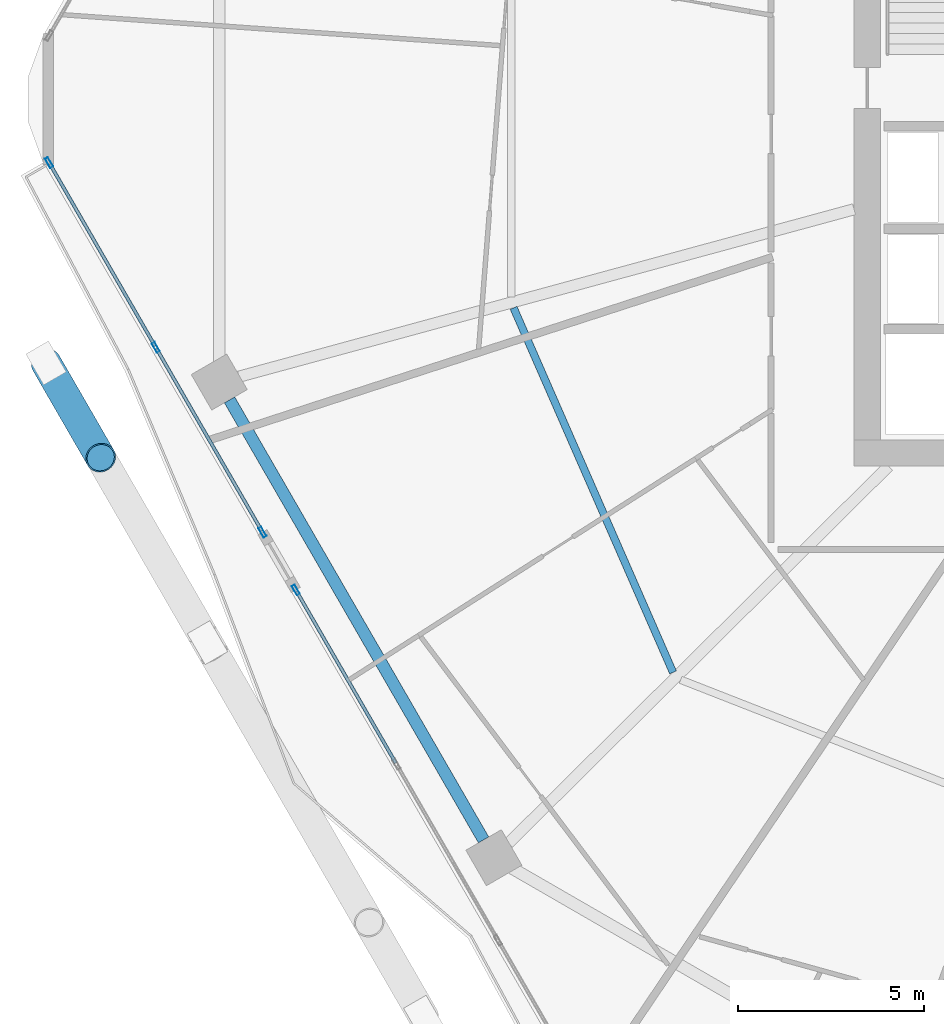
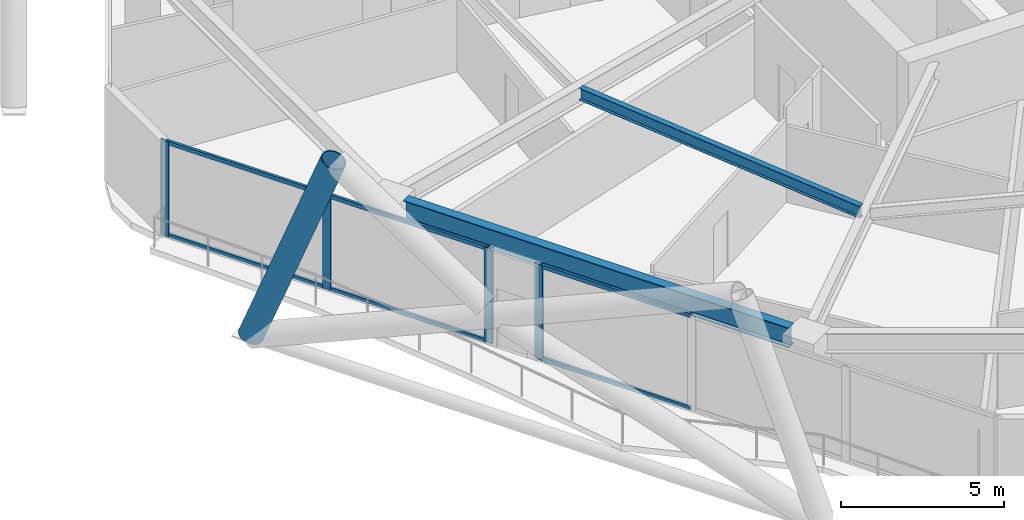
# One storey, part 5 of 35: 11 members, 2 beams, 2 elements without a shape of their own.
"""IFC4 building model written with IfcOpenShell, lengths in metres."""

from ifc_helpers import new_model, si_unit, direction, frame, origin, origin_2d, place, context, subcontext, project, spatial, hollow_rectangle, hollow_circle, i_section, extrude, material, material_profile, profile_set, type_object, element, aggregate, save


model = new_model("IFC4")

# Units and contexts
model_context = context("Model", 3, precision=1e-05, world=origin(), true_north=direction((0.0, 1.0)))
body_context = subcontext(model_context, "Body", "Model", "MODEL_VIEW")
ifc_project = project(units=[si_unit("LENGTHUNIT", "METRE"), si_unit("AREAUNIT", "SQUARE_METRE"), si_unit("VOLUMEUNIT", "CUBIC_METRE"), si_unit("PLANEANGLEUNIT", "RADIAN"), si_unit("MASSUNIT", "GRAM", prefix="KILO")], contexts=[model_context])

# Site, building, storey
site_placement = place(None, origin())
site = spatial("IfcSite", under=ifc_project, at=site_placement, CompositionType="ELEMENT")
building_placement = place(site_placement, origin())
building = spatial("IfcBuilding", under=site, at=building_placement, Name="Zuhravey Tower", CompositionType="ELEMENT")
storey_placement = place(building_placement, frame((0.0, 0.0, 122.800048828125)))
storey = spatial("IfcBuildingStorey", under=building, at=storey_placement, Name="L30", CompositionType="ELEMENT", Elevation=122.800048828125)

# Curtain wall, member
ifc_material_1 = material(Name="Thermally broken anodised aluminium", Category="aluminium")
curtain_wall_type = type_object("IfcCurtainWallType", Name="Zone 1-2 Residential Curtain Wall CW3", PredefinedType="NOTDEFINED", material=ifc_material_1)
curtain_wall_1_placement = place(storey_placement, origin())
curtain_wall_1 = element("IfcCurtainWall", 1, at=curtain_wall_1_placement, inside=storey, type_object=curtain_wall_type, Name="L30 CW3 CW-L30-F4-1", PredefinedType="NOTDEFINED")
ifc_material_2 = material(Name="Anodised aluminium", Category="aluminium")
ifc_material_profile_1 = material_profile(ifc_material_2, hollow_rectangle(XDim=0.090087890625, YDim=0.284912109375, WallThickness=0.0048828125, at=origin_2d()), Name="ALU-RHS-90x285x5")
ifc_profile_set_1 = profile_set([ifc_material_profile_1], Name="Anodised aluminium")
member_type_1 = type_object("IfcMemberType", Name="Curtain-Wall Mullion 90x180", PredefinedType="MULLION", material=ifc_profile_set_1)
member_1_placement = place(storey_placement, frame((10.16552734375, 18.82958984375, 0.0), z_axis=(0.0, 0.0, 1.0), x_axis=(-0.86602634688, -0.499998366507, 0.0)))
member_1 = element("IfcMember", 2, at=member_1_placement, type_object=member_type_1, Name="CW3 mullion 4", PredefinedType="MULLION", context=body_context, shape_type="SweptSolid", body=[
    extrude(hollow_rectangle(XDim=0.090087890625, YDim=0.284912109375, WallThickness=0.0048828125, at=origin_2d()), origin(), (0.0, 0.0, 1.0), 3.550048828125),
])

# Curtain wall, members
curtain_wall_2_placement = place(storey_placement, origin())
curtain_wall_2 = element("IfcCurtainWall", 3, at=curtain_wall_2_placement, inside=storey, type_object=curtain_wall_type, Name="L30 CW3 CW-L30-F4-2", PredefinedType="NOTDEFINED")
member_2_placement = place(storey_placement, frame((9.2705078125, 20.3798828125, 0.0), z_axis=(0.0, 0.0, 1.0), x_axis=(-0.866023141803, -0.500003917847, 0.0)))
member_2 = element("IfcMember", 4, at=member_2_placement, type_object=member_type_1, Name="CW3 mullion 1", PredefinedType="MULLION", context=body_context, shape_type="SweptSolid", body=[
    extrude(hollow_rectangle(XDim=0.090087890625, YDim=0.284912109375, WallThickness=0.0048828125, at=origin_2d()), origin(), (0.0, 0.0, 1.0), 3.550048828125),
])
member_3_placement = place(storey_placement, frame((6.4072265625, 25.339111328125, 0.0), z_axis=(0.0, 0.0, 1.0), x_axis=(-0.866023141803, -0.500003917847, 0.0)))
member_3 = element("IfcMember", 5, at=member_3_placement, type_object=member_type_1, Name="CW3 mullion 2", PredefinedType="MULLION", context=body_context, shape_type="SweptSolid", body=[
    extrude(hollow_rectangle(XDim=0.090087890625, YDim=0.284912109375, WallThickness=0.0048828125, at=origin_2d()), origin(), (0.0, 0.0, 1.0), 3.550048828125),
])
member_4_placement = place(storey_placement, frame((3.5439453125, 30.298583984375, 0.0), z_axis=(0.0, 0.0, 1.0), x_axis=(-0.866023141803, -0.500003917847, 0.0)))
member_4 = element("IfcMember", 6, at=member_4_placement, type_object=member_type_1, Name="CW3 mullion 3", PredefinedType="MULLION", context=body_context, shape_type="SweptSolid", body=[
    extrude(hollow_rectangle(XDim=0.090087890625, YDim=0.284912109375, WallThickness=0.0048828125, at=origin_2d()), origin(), (0.0, 0.0, 1.0), 3.550048828125),
])

# Member
ifc_material_profile_2 = material_profile(ifc_material_2, hollow_rectangle(XDim=0.090087890625, YDim=0.14990234375, WallThickness=0.0048828125, at=origin_2d()), Name="ALU-RHS-90x150x5")
ifc_profile_set_2 = profile_set([ifc_material_profile_2], Name="Anodised aluminium")
member_type_2 = type_object("IfcMemberType", Name="Curtain-Wall Transom 90x150", PredefinedType="USERDEFINED", material=ifc_profile_set_2)
member_5_placement = place(storey_placement, frame((12.8466796875, 14.18603515625, 0.044921875), z_axis=(-0.500020543844, 0.866013542465, 0.0), x_axis=(-0.866013542465, -0.500020543844, 0.0)))
member_5 = element("IfcMember", 7, at=member_5_placement, type_object=member_type_2, Name="CW3 transom 3.1", ObjectType="TRANSOM", PredefinedType="USERDEFINED", context=body_context, shape_type="SweptSolid", body=[
    extrude(hollow_rectangle(XDim=0.090087890625, YDim=0.14990234375, WallThickness=0.0048828125, at=origin_2d()), origin(), (0.0, 0.0, 1.0), 5.317138671875),
])

member_6_placement = place(storey_placement, frame((12.8466796875, 14.18603515625, 3.5048828125), z_axis=(-0.500020543844, 0.866013542465, 0.0), x_axis=(-0.866013542465, -0.500020543844, 0.0)))
member_6 = element("IfcMember", 8, at=member_6_placement, type_object=member_type_2, Name="CW3 transom 3.2", ObjectType="TRANSOM", PredefinedType="USERDEFINED", context=body_context, shape_type="SweptSolid", body=[
    extrude(hollow_rectangle(XDim=0.090087890625, YDim=0.14990234375, WallThickness=0.0048828125, at=origin_2d()), origin(), (0.0, 0.0, 1.0), 5.317138671875),
])

aggregate(curtain_wall_1, [member_1, member_5, member_6])

member_7_placement = place(storey_placement, frame((9.248046875, 20.4189453125, 0.044921875), z_axis=(-0.500014901547, 0.866016800201, 0.0), x_axis=(-0.866016800201, -0.500014901547, 0.0)))
member_7 = element("IfcMember", 9, at=member_7_placement, type_object=member_type_2, Name="CW3 transom 1.1", ObjectType="TRANSOM", PredefinedType="USERDEFINED", context=body_context, shape_type="SweptSolid", body=[
    extrude(hollow_rectangle(XDim=0.090087890625, YDim=0.14990234375, WallThickness=0.0048828125, at=origin_2d()), origin(), (0.0, 0.0, 1.0), 5.636474609375),
])

member_8_placement = place(storey_placement, frame((9.248046875, 20.4189453125, 3.5048828125), z_axis=(-0.500014901547, 0.866016800201, 0.0), x_axis=(-0.866016800201, -0.500014901547, 0.0)))
member_8 = element("IfcMember", 10, at=member_8_placement, type_object=member_type_2, Name="CW3 transom 1.2", ObjectType="TRANSOM", PredefinedType="USERDEFINED", context=body_context, shape_type="SweptSolid", body=[
    extrude(hollow_rectangle(XDim=0.090087890625, YDim=0.14990234375, WallThickness=0.0048828125, at=origin_2d()), origin(), (0.0, 0.0, 1.0), 5.636474609375),
])

member_9_placement = place(storey_placement, frame((6.384765625, 25.378173828125, 0.044921875), z_axis=(-0.500014901547, 0.866016800201, 0.0), x_axis=(-0.866016800201, -0.500014901547, 0.0)))
member_9 = element("IfcMember", 11, at=member_9_placement, type_object=member_type_2, Name="CW3 transom 2.1", ObjectType="TRANSOM", PredefinedType="USERDEFINED", context=body_context, shape_type="SweptSolid", body=[
    extrude(hollow_rectangle(XDim=0.090087890625, YDim=0.14990234375, WallThickness=0.0048828125, at=origin_2d()), origin(), (0.0, 0.0, 1.0), 5.636474609375),
])

member_10_placement = place(storey_placement, frame((6.384765625, 25.378173828125, 3.5048828125), z_axis=(-0.500014901547, 0.866016800201, 0.0), x_axis=(-0.866016800201, -0.500014901547, 0.0)))
member_10 = element("IfcMember", 12, at=member_10_placement, type_object=member_type_2, Name="CW3 transom 2.2", ObjectType="TRANSOM", PredefinedType="USERDEFINED", context=body_context, shape_type="SweptSolid", body=[
    extrude(hollow_rectangle(XDim=0.090087890625, YDim=0.14990234375, WallThickness=0.0048828125, at=origin_2d()), origin(), (0.0, 0.0, 1.0), 5.636474609375),
])

aggregate(curtain_wall_2, [member_2, member_3, member_4, member_7, member_8, member_9, member_10])

ifc_material_3 = material(Name="Steel SM460", Category="steel")
ifc_material_profile_3 = material_profile(ifc_material_3, hollow_circle(Radius=0.406494140625, WallThickness=0.035888671875, at=origin_2d()), Name="CHS-812.8x36")
ifc_profile_set_3 = profile_set([ifc_material_profile_3], Name="Steel SM460")
member_type_3 = type_object("IfcMemberType", Name="Exoskeleton Zone 1 Diagrid CHS813x36", PredefinedType="BRACE", material=ifc_profile_set_3)
member_11_placement = place(storey_placement, frame((3.466796875, 24.912109375, -0.442138671875), z_axis=(0.180569214941, -0.312719486379, 0.932524145239), x_axis=(0.866000778371, 0.500042650041, 0.0)))
element("IfcMember", 13, at=member_11_placement, inside=storey, type_object=member_type_3, Name="L30 Face 4 Diagrid Brace 1", PredefinedType="BRACE", context=body_context, shape_type="SweptSolid", body=[
    extrude(hollow_circle(Radius=0.406494140625, WallThickness=0.035888671875, at=origin_2d()), origin(), (0.0, 0.0, 1.0), 8.102783203125),
])

# Beams
ifc_material_4 = material(Name="Steel SM355", Category="steel")
ifc_material_profile_4 = material_profile(ifc_material_4, i_section(OverallWidth=0.320068359375, OverallDepth=0.75, WebThickness=0.013916015625, FlangeThickness=0.02490234375, at=origin_2d()), Name="H-750x320x14x25")
ifc_profile_set_4 = profile_set([ifc_material_profile_4], Name="Steel SM355")
beam_type_1 = type_object("IfcBeamType", Name="Perimeter Ring Beam H750x320", PredefinedType="BEAM", material=ifc_profile_set_4)
beam_1_placement = place(storey_placement, frame((8.387451171875, 23.929443359375, 3.175048828125), z_axis=(0.500008177929, -0.866020682204, 0.0), x_axis=(0.866020682204, 0.500008177929, 0.0)))
element("IfcBeam", 14, at=beam_1_placement, inside=storey, type_object=beam_type_1, Name="L30 PB1 BM-L30-PB-07", PredefinedType="BEAM", context=body_context, shape_type="SweptSolid", body=[
    extrude(i_section(OverallWidth=0.320068359375, OverallDepth=0.75, WebThickness=0.013916015625, FlangeThickness=0.02490234375, at=origin_2d()), origin(), (0.0, 0.0, 1.0), 13.634033203125),
])
ifc_material_profile_5 = material_profile(ifc_material_4, i_section(OverallWidth=0.199951171875, OverallDepth=0.449951171875, WebThickness=0.009033203125, FlangeThickness=0.013916015625, at=origin_2d()), Name="H-450x200x9x14")
ifc_profile_set_5 = profile_set([ifc_material_profile_5], Name="Steel SM355")
beam_type_2 = type_object("IfcBeamType", Name="Secondary Floor Joist H450x200", PredefinedType="JOIST", material=ifc_profile_set_5)
beam_2_placement = place(storey_placement, frame((16.00927734375, 26.400390625, 3.324951171875), z_axis=(0.400786454617, -0.916171500209, 0.0), x_axis=(0.916171500209, 0.400786454617, 0.0)))
element("IfcBeam", 15, at=beam_2_placement, inside=storey, type_object=beam_type_2, Name="L30 SJ1 BM-L30-SJ-07-1", PredefinedType="JOIST", context=body_context, shape_type="SweptSolid", body=[
    extrude(i_section(OverallWidth=0.199951171875, OverallDepth=0.449951171875, WebThickness=0.009033203125, FlangeThickness=0.013916015625, at=origin_2d()), origin(), (0.0, 0.0, 1.0), 10.6796875),
])

save(model, "model.ifc")
